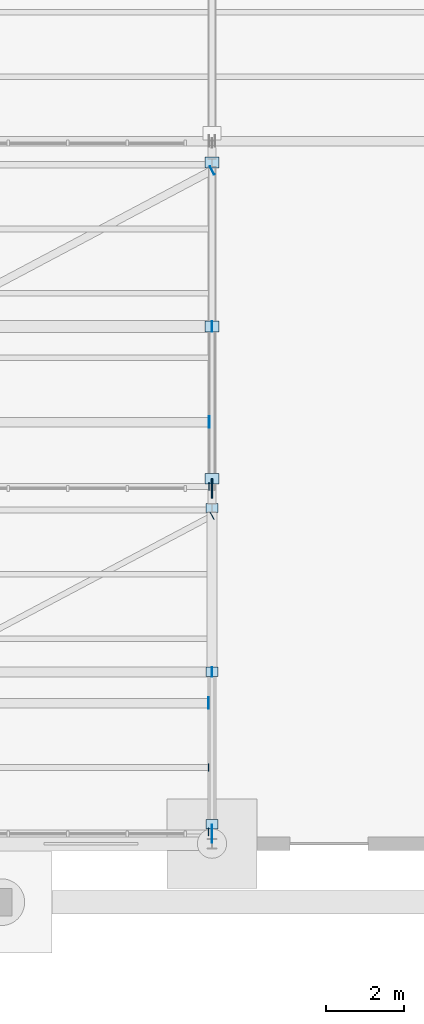
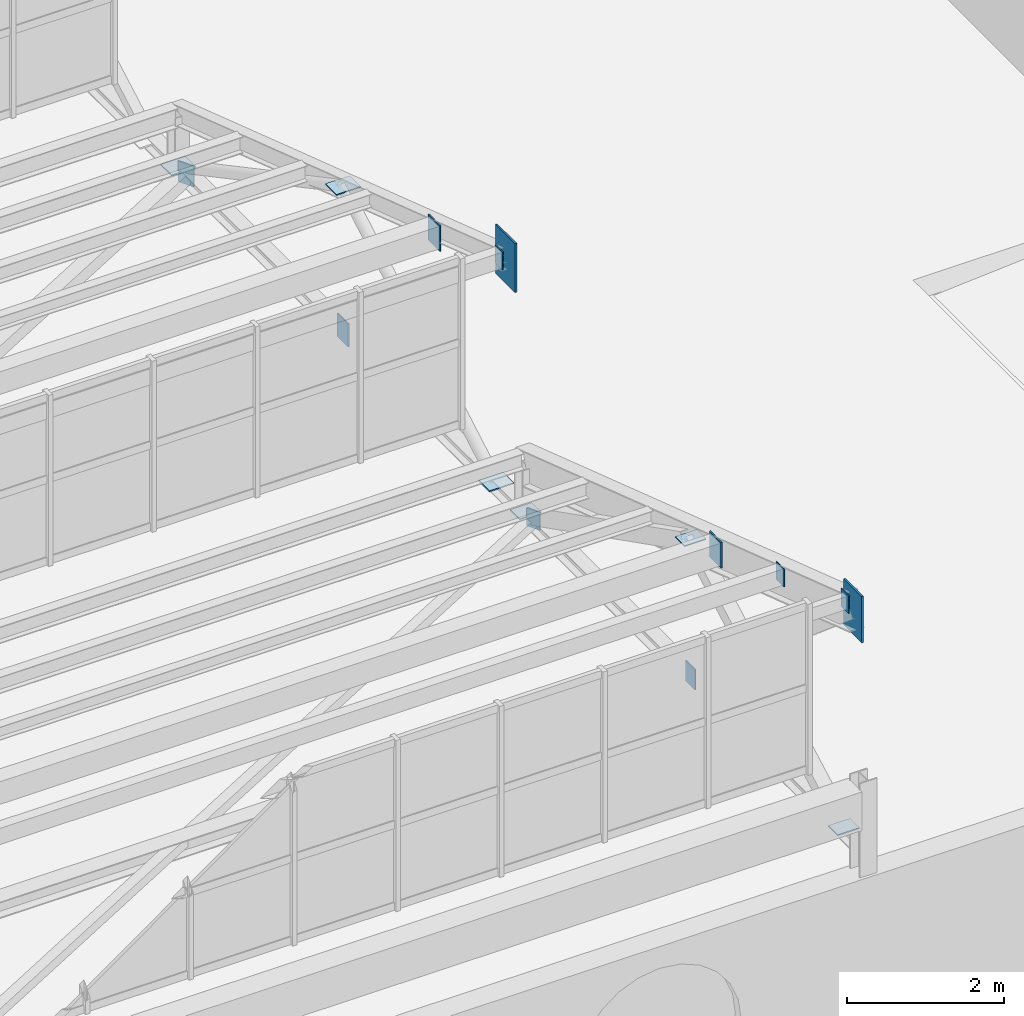
# One storey, part 226 of 285: 17 plates.
"""IFC4 building model written with IfcOpenShell, lengths in metres."""

from ifc_helpers import new_model, si_unit, direction, frame, origin, origin_2d, place, context, subcontext, project, spatial, rectangle, extrude, material, layer, layer_set, type_object, element, save


model = new_model("IFC4")

# Units and contexts
model_context = context("Model", 3, precision=1e-05, world=origin(), true_north=direction((0.0, 1.0)))
body_context = subcontext(model_context, "Body", "Model", "MODEL_VIEW")
ifc_project = project(units=[si_unit("LENGTHUNIT", "METRE"), si_unit("AREAUNIT", "SQUARE_METRE"), si_unit("VOLUMEUNIT", "CUBIC_METRE"), si_unit("PLANEANGLEUNIT", "RADIAN"), si_unit("MASSUNIT", "GRAM", prefix="KILO")], contexts=[model_context])

# Site, building, storey
site_placement = place(None, origin())
site = spatial("IfcSite", under=ifc_project, at=site_placement, CompositionType="ELEMENT")
building_placement = place(site_placement, origin())
building = spatial("IfcBuilding", under=site, at=building_placement, Name="Solanera Park Tramway Depot", CompositionType="ELEMENT")
storey_placement = place(building_placement, origin())
storey = spatial("IfcBuildingStorey", under=building, at=storey_placement, Name="L00", CompositionType="ELEMENT", Elevation=0.0)

# Plates
ifc_material_1 = material(Name="Steel AS/NZS 3679.1 Grade 350", Category="steel")
ifc_layer_1 = layer(ifc_material_1, 0.013916015625)
ifc_layer_set_1 = layer_set([ifc_layer_1], Name="Steel AS/NZS 3679.1 Grade 350")
plate_type_1 = type_object("IfcPlateType", Name="Hollow End Cap and Base Plate 280x200x14", PredefinedType="USERDEFINED", material=ifc_layer_set_1)
for number, where, z_axis, x_axis, name in (
    (1, (134.90625, 55.800048828125, 10.033203125), (0.0, 0.0, 1.0), (1.0, 0.0, 0.0), "Hollow Section Welded End Cap Plate #0132"),
    (2, (134.90625, 57.449951171875, 9.44775390625), (0.0, 0.0, 1.0), (1.0, 0.0, 0.0), "Hollow Section Welded End Cap Plate #0148"),
    (3, (135.000732421875, 63.9013671875, 6.35986328125), (0.0, 0.0, 1.0), (0.883520501477, 0.468392488698, 0.0), "Hollow Section Welded End Cap Plate #0176"),
    (4, (134.927978515625, 64.64990234375, 10.0), (0.0, 0.0, 1.0), (1.0, 0.0, 0.0), "Hollow Section Welded End Cap Plate #0237"),
):
    element("IfcPlate", number, at=place(storey_placement, frame(where, z_axis=z_axis, x_axis=x_axis)), inside=storey, type_object=plate_type_1, Name=name, ObjectType="BASE PLATE", PredefinedType="USERDEFINED", context=body_context, shape_type="SweptSolid", body=[
        extrude(rectangle(XDim=0.013916015625, YDim=0.199951171875, at=origin_2d()), origin(), (0.0, 0.0, 1.0), 0.280029296875),
    ])
ifc_material_2 = material(Name="Steel AS/NZS 3679.1 Grade 350", Category="steel")
ifc_layer_2 = layer(ifc_material_2, 0.01611328125)
ifc_layer_set_2 = layer_set([ifc_layer_2], Name="Steel AS/NZS 3679.1 Grade 350")
plate_type_2 = type_object("IfcPlateType", Name="Hollow End Cap and Base Plate 320x240x16", PredefinedType="USERDEFINED", material=ifc_layer_set_2)
plate_1_placement = place(storey_placement, frame((135.0, 59.89990234375, 6.33984375), z_axis=(0.0, 0.0, 1.0), x_axis=(1.0, 0.0, 0.0)))
element("IfcPlate", 5, at=plate_1_placement, inside=storey, type_object=plate_type_2, Name="Sawtooth Truss Hollow End Cap #0113", ObjectType="BASE PLATE", PredefinedType="USERDEFINED", context=body_context, shape_type="SweptSolid", body=[
    extrude(rectangle(XDim=0.01611328125, YDim=0.239990234375, at=origin_2d()), origin(), (0.0, 0.0, 1.0), 0.320068359375),
])
for number, where, z_axis, x_axis, name in (
    (6, (135.0, 64.10009765625, 6.491943359375), (0.0, 0.0, 1.0), (1.0, 0.0, 0.0), "Sawtooth Truss Node Cap Plate #0114"),
    (7, (135.0, 59.89990234375, 8.62158203125), (0.0, 0.0, 1.0), (1.0, 0.0, 0.0), "Sawtooth Truss Node Cap Plate #0115"),
    (8, (135.0, 56.0, 6.491943359375), (0.0, 0.0, 1.0), (1.0, 0.0, 0.0), "Sawtooth Truss Node Cap Plate #0116"),
):
    element("IfcPlate", number, at=place(storey_placement, frame(where, z_axis=z_axis, x_axis=x_axis)), inside=storey, type_object=plate_type_2, Name=name, ObjectType="BASE PLATE", PredefinedType="USERDEFINED", context=body_context, shape_type="SweptSolid", body=[
        extrude(rectangle(XDim=0.320068359375, YDim=0.239990234375, at=origin_2d()), origin(), (0.0, 0.0, 1.0), 0.01611328125),
    ])
plate_2_placement = place(storey_placement, frame((135.00146484375, 72.751953125, 6.33984375), z_axis=(0.0, 0.0, 1.0), x_axis=(0.883520501477, 0.468392488698, 0.0)))
element("IfcPlate", 9, at=plate_2_placement, inside=storey, type_object=plate_type_2, Name="Hollow Section Welded End Cap Plate #0265", ObjectType="BASE PLATE", PredefinedType="USERDEFINED", context=body_context, shape_type="SweptSolid", body=[
    extrude(rectangle(XDim=0.01611328125, YDim=0.239990234375, at=origin_2d()), origin(), (0.0, 0.0, 1.0), 0.320068359375),
])
ifc_material_3 = material(Name="Steel AS/NZS 3679.1 Grade 350", Category="steel")
ifc_layer_3 = layer(ifc_material_3, 0.01806640625)
ifc_layer_set_3 = layer_set([ifc_layer_3], Name="Steel AS/NZS 3679.1 Grade 350")
plate_type_3 = type_object("IfcPlateType", Name="Hollow End Cap and Base Plate 360x280x18", PredefinedType="USERDEFINED", material=ifc_layer_set_3)
plate_3_placement = place(storey_placement, frame((135.0, 68.75, 6.31982421875), z_axis=(0.0, 0.0, 1.0), x_axis=(1.0, 0.0, 0.0)))
element("IfcPlate", 10, at=plate_3_placement, inside=storey, type_object=plate_type_3, Name="Sawtooth Truss Hollow End Cap #0218", ObjectType="BASE PLATE", PredefinedType="USERDEFINED", context=body_context, shape_type="SweptSolid", body=[
    extrude(rectangle(XDim=0.01806640625, YDim=0.280029296875, at=origin_2d()), origin(), (0.0, 0.0, 1.0), 0.360107421875),
])
for number, where, z_axis, x_axis, name in (
    (11, (135.0, 72.949951171875, 6.490966796875), (0.0, 0.0, 1.0), (1.0, 0.0, 0.0), "Sawtooth Truss Node Cap Plate #0219"),
    (12, (135.0, 68.75, 8.733642578125), (0.0, 0.0, 1.0), (1.0, 0.0, 0.0), "Sawtooth Truss Node Cap Plate #0220"),
    (13, (135.0, 64.85009765625, 6.490966796875), (0.0, 0.0, 1.0), (1.0, 0.0, 0.0), "Sawtooth Truss Node Cap Plate #0221"),
):
    element("IfcPlate", number, at=place(storey_placement, frame(where, z_axis=z_axis, x_axis=x_axis)), inside=storey, type_object=plate_type_3, Name=name, ObjectType="BASE PLATE", PredefinedType="USERDEFINED", context=body_context, shape_type="SweptSolid", body=[
        extrude(rectangle(XDim=0.360107421875, YDim=0.280029296875, at=origin_2d()), origin(), (0.0, 0.0, 1.0), 0.01806640625),
    ])
ifc_material_4 = material(Name="Steel AS/NZS 3679.1 Grade 350", Category="steel")
ifc_layer_4 = layer(ifc_material_4, 0.02001953125)
ifc_layer_set_4 = layer_set([ifc_layer_4], Name="Steel AS/NZS 3679.1 Grade 350")
plate_type_4 = type_object("IfcPlateType", Name="Hollow End Cap and Base Plate 400x300x20", PredefinedType="USERDEFINED", material=ifc_layer_set_4)
for number, where, z_axis, x_axis, name in (
    (14, (134.9091796875, 59.10009765625, 8.76904296875), (0.0, 0.0, 1.0), (1.0, 0.0, 0.0), "Hollow Section Welded End Cap Plate #0164"),
    (15, (134.930908203125, 66.300048828125, 9.3212890625), (0.0, 0.0, 1.0), (1.0, 0.0, 0.0), "Hollow Section Welded End Cap Plate #0253"),
):
    element("IfcPlate", number, at=place(storey_placement, frame(where, z_axis=z_axis, x_axis=x_axis)), inside=storey, type_object=plate_type_4, Name=name, ObjectType="BASE PLATE", PredefinedType="USERDEFINED", context=body_context, shape_type="SweptSolid", body=[
        extrude(rectangle(XDim=0.02001953125, YDim=0.300048828125, at=origin_2d()), origin(), (0.0, 0.0, 1.0), 0.39990234375),
    ])
ifc_material_5 = material(Name="Steel AS/NZS 3679.1 Grade 350", Category="steel")
ifc_layer_5 = layer(ifc_material_5, 0.02490234375)
ifc_layer_set_5 = layer_set([ifc_layer_5], Name="Steel AS/NZS 3679.1 Grade 350")
plate_type_5 = type_object("IfcPlateType", Name="Truss Node Gusset Stiffener 720x460x25", PredefinedType="SHEET", material=ifc_layer_set_5)
plate_4_placement = place(storey_placement, frame((135.0, 55.75, 9.658203125), z_axis=(0.0, 0.0, 1.0), x_axis=(1.0, 0.0, 0.0)))
element("IfcPlate", 16, at=plate_4_placement, inside=storey, type_object=plate_type_5, Name="Sawtooth Truss Apex Gusset Plate #0112", PredefinedType="SHEET", context=body_context, shape_type="SweptSolid", body=[
    extrude(rectangle(XDim=0.02490234375, YDim=0.4599609375, at=origin_2d()), origin(), (0.0, 0.0, 1.0), 0.719970703125),
])
ifc_material_6 = material(Name="Steel AS/NZS 3679.1 Grade 350", Category="steel")
ifc_layer_6 = layer(ifc_material_6, 0.02587890625)
ifc_layer_set_6 = layer_set([ifc_layer_6], Name="Steel AS/NZS 3679.1 Grade 350")
plate_type_6 = type_object("IfcPlateType", Name="Truss Node Gusset Stiffener 760x500x26", PredefinedType="SHEET", material=ifc_layer_set_6)
plate_5_placement = place(storey_placement, frame((135.0, 64.60009765625, 9.7509765625), z_axis=(0.0, 0.0, 1.0), x_axis=(1.0, 0.0, 0.0)))
element("IfcPlate", 17, at=plate_5_placement, inside=storey, type_object=plate_type_6, Name="Sawtooth Truss Apex Gusset Plate #0217", PredefinedType="SHEET", context=body_context, shape_type="SweptSolid", body=[
    extrude(rectangle(XDim=0.02587890625, YDim=0.5, at=origin_2d()), origin(), (0.0, 0.0, 1.0), 0.760009765625),
])

save(model, "model.ifc")
